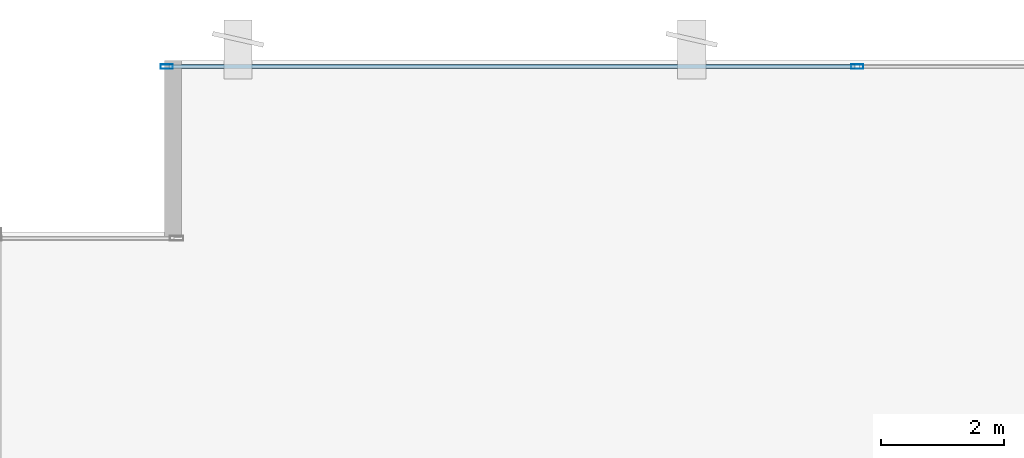
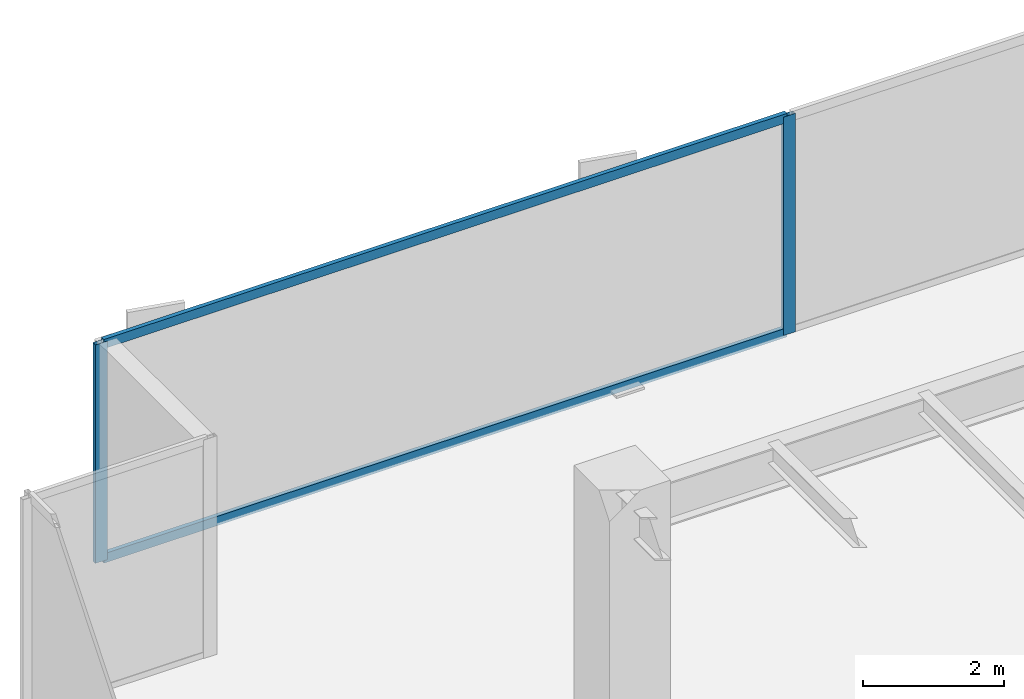
# One storey, part 15 of 36: 4 members, 1 element without a shape of its own.
"""IFC4 building model written with IfcOpenShell, lengths in metres."""

from ifc_helpers import new_model, si_unit, direction, frame, origin, origin_2d, place, context, subcontext, project, spatial, hollow_rectangle, extrude, source, transform, mapped, material, layer, layer_set, material_profile, profile_set, type_object, type_shapes, element, aggregate, save


model = new_model("IFC4")

# Units and contexts
model_context = context("Model", 3, precision=1e-05, world=origin(), true_north=direction((0.0, 1.0)))
body_context = subcontext(model_context, "Body", "Model", "MODEL_VIEW")
ifc_project = project(units=[si_unit("LENGTHUNIT", "METRE"), si_unit("AREAUNIT", "SQUARE_METRE"), si_unit("VOLUMEUNIT", "CUBIC_METRE"), si_unit("PLANEANGLEUNIT", "RADIAN"), si_unit("MASSUNIT", "GRAM", prefix="KILO")], contexts=[model_context])

# Site, building, storey
site_placement = place(None, origin())
site = spatial("IfcSite", under=ifc_project, at=site_placement, CompositionType="ELEMENT")
building_placement = place(site_placement, origin())
building = spatial("IfcBuilding", under=site, at=building_placement, Name="Haelvirn Gate Laboratories", CompositionType="ELEMENT")
storey_placement = place(building_placement, frame((0.0, 0.0, 29.300048828125)))
storey = spatial("IfcBuildingStorey", under=building, at=storey_placement, Name="L07", CompositionType="ELEMENT", Elevation=29.300048828125)

# Curtain wall, members
ifc_material_1 = material(Name="Anodised bronze unitised aluminium & triple low-E glass", Category="aluminium")
ifc_layer = layer(ifc_material_1, 0.18408203125, Name="CW-SYS-2")
ifc_layer_set = layer_set([ifc_layer], Name="Anodised bronze unitised aluminium & triple low-E glass")
curtain_wall_type = type_object("IfcCurtainWallType", Name="CW-SYS-2", PredefinedType="NOTDEFINED", material=ifc_layer_set)
curtain_wall_placement = place(storey_placement, origin())
curtain_wall = element("IfcCurtainWall", 1, at=curtain_wall_placement, inside=storey, type_object=curtain_wall_type, Name="L07 Unitised Curtain Wall CW-L07-P0-E14-1", PredefinedType="NOTDEFINED")
ifc_material_2 = material(Name="Extruded aluminium 6063-T6 (anodised bronze)", Category="aluminium")
ifc_material_profile_1 = material_profile(ifc_material_2, hollow_rectangle(XDim=0.074951171875, YDim=0.199951171875, WallThickness=0.0048828125, at=origin_2d()), Name="CWM-200x75x5")
ifc_profile_set_1 = profile_set([ifc_material_profile_1], Name="Extruded aluminium 6063-T6 (anodised bronze)")
member_type_1 = type_object("IfcMemberType", Name="CWM-T200", PredefinedType="MULLION", material=ifc_profile_set_1)
shared_shape_1 = source(origin(), body_context, "Body", "SweptSolid", [
    extrude(hollow_rectangle(XDim=0.074951171875, YDim=0.199951171875, WallThickness=0.0048828125, at=origin_2d()), origin(), (0.0, 0.0, 1.0), 3.780029296875),
])
type_shapes(member_type_1, [shared_shape_1])
member_1_placement = place(storey_placement, frame((2.83740234375, 48.5, 0.0), z_axis=(0.0, 0.0, 1.0), x_axis=(0.0, 1.0, 0.0)))
member_1 = element("IfcMember", 2, at=member_1_placement, type_object=member_type_1, Name="CW2 mullion 1", PredefinedType="MULLION", context=body_context, shape_type="MappedRepresentation", body=[
    mapped(shared_shape_1, transform((0.0, 0.0, 0.0), scale=1.0)),
])
member_2_placement = place(storey_placement, frame((14.10009765625, 48.5, 0.0), z_axis=(0.0, 0.0, 1.0), x_axis=(0.0, 1.0, 0.0)))
member_2 = element("IfcMember", 3, at=member_2_placement, type_object=member_type_1, Name="CW2 mullion 2", PredefinedType="MULLION", context=body_context, shape_type="MappedRepresentation", body=[
    mapped(shared_shape_1, transform((0.0, 0.0, 0.0), scale=1.0)),
])
ifc_material_profile_2 = material_profile(ifc_material_2, hollow_rectangle(XDim=0.070068359375, YDim=0.159912109375, WallThickness=0.0048828125, at=origin_2d()), Name="CWT-160x70x5")
ifc_profile_set_2 = profile_set([ifc_material_profile_2], Name="Extruded aluminium 6063-T6 (anodised bronze)")
member_type_2 = type_object("IfcMemberType", Name="CWT-T160", PredefinedType="USERDEFINED", material=ifc_profile_set_2)
shared_shape_2 = source(origin(), body_context, "Body", "SweptSolid", [
    extrude(hollow_rectangle(XDim=0.070068359375, YDim=0.159912109375, WallThickness=0.0048828125, at=origin_2d()), origin(), (0.0, 0.0, 1.0), 11.1875),
])
type_shapes(member_type_2, [shared_shape_2])
member_3_placement = place(storey_placement, frame((2.875, 48.5, 0.034912109375), z_axis=(1.0, 0.0, 0.0), x_axis=(0.0, 1.0, 0.0)))
member_3 = element("IfcMember", 4, at=member_3_placement, type_object=member_type_2, Name="CW2 transom 1.1", ObjectType="TRANSOM", PredefinedType="USERDEFINED", context=body_context, shape_type="MappedRepresentation", body=[
    mapped(shared_shape_2, transform((0.0, 0.0, 0.0), scale=1.0)),
])
member_4_placement = place(storey_placement, frame((2.875, 48.5, 3.744873046875), z_axis=(1.0, 0.0, 0.0), x_axis=(0.0, 1.0, 0.0)))
member_4 = element("IfcMember", 5, at=member_4_placement, type_object=member_type_2, Name="CW2 transom 1.2", ObjectType="TRANSOM", PredefinedType="USERDEFINED", context=body_context, shape_type="MappedRepresentation", body=[
    mapped(shared_shape_2, transform((0.0, 0.0, 0.0), scale=1.0)),
])
aggregate(curtain_wall, [member_1, member_2, member_3, member_4])

save(model, "model.ifc")
